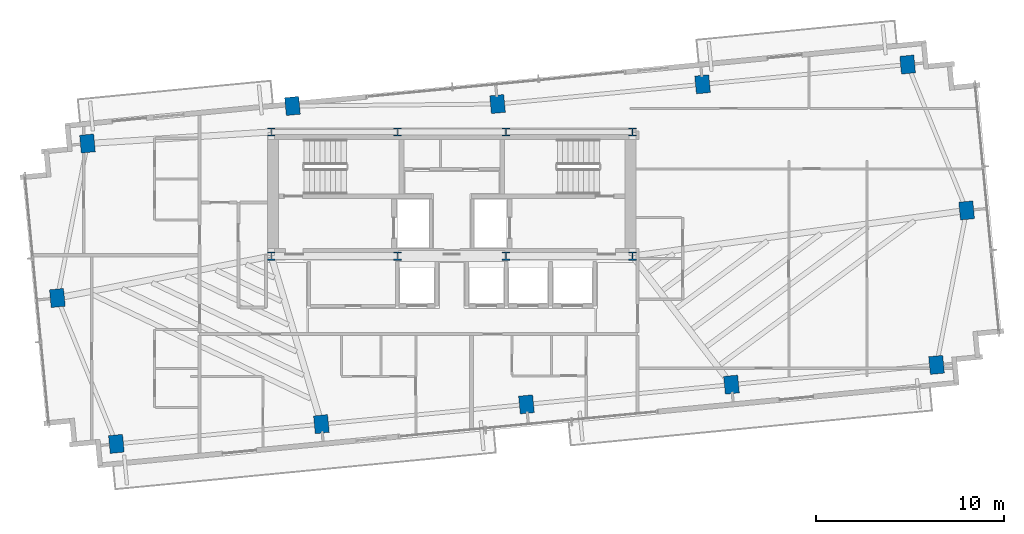
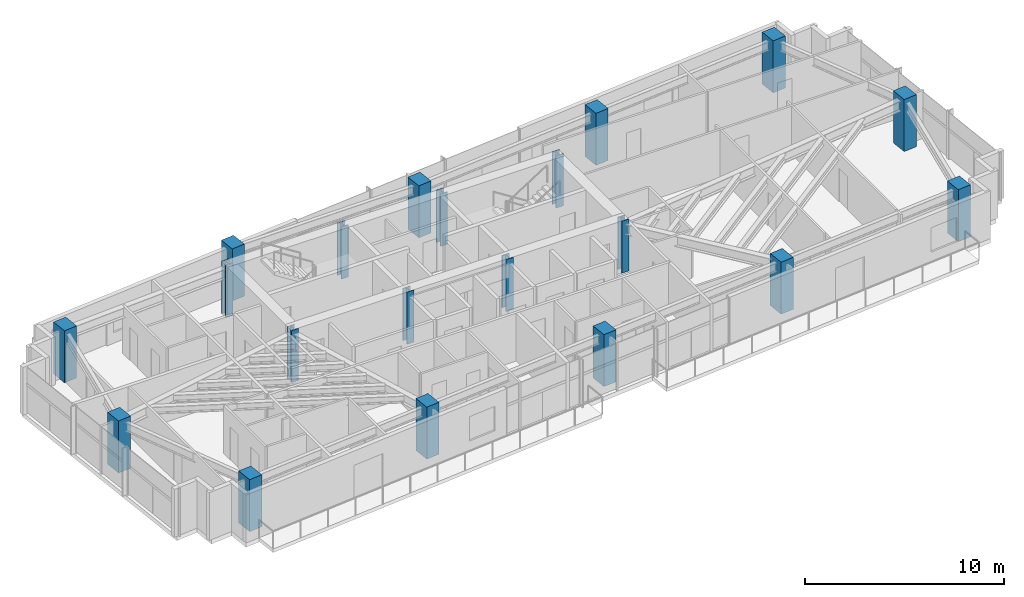
# One storey, part 1 of 18: 20 columns.
"""IFC4 building model written with IfcOpenShell, lengths in metres."""

from ifc_helpers import new_model, si_unit, direction, frame, origin, origin_2d, place, context, subcontext, project, spatial, rectangle, i_section, extrude, source, transform, mapped, material, material_profile, profile_set, type_object, type_shapes, element, save


model = new_model("IFC4")

# Units and contexts
model_context = context("Model", 3, precision=1e-05, world=origin(), true_north=direction((0.0, 1.0)))
body_context = subcontext(model_context, "Body", "Model", "MODEL_VIEW")
ifc_project = project(units=[si_unit("LENGTHUNIT", "METRE"), si_unit("AREAUNIT", "SQUARE_METRE"), si_unit("VOLUMEUNIT", "CUBIC_METRE"), si_unit("PLANEANGLEUNIT", "RADIAN"), si_unit("MASSUNIT", "GRAM", prefix="KILO")], contexts=[model_context])

# Site, building, storey
site_placement = place(None, origin())
site = spatial("IfcSite", under=ifc_project, at=site_placement, CompositionType="ELEMENT")
building_placement = place(site_placement, origin())
building = spatial("IfcBuilding", under=site, at=building_placement, Name="Astriad Promenade Condominiums", CompositionType="ELEMENT")
storey_placement = place(building_placement, frame((0.0, 0.0, 182.60009765625)))
storey = spatial("IfcBuildingStorey", under=building, at=storey_placement, Name="L52", CompositionType="ELEMENT", Elevation=182.60009765625)

# Columns
ifc_material_1 = material(Name="Steel ASTM A992 Grade 50", Category="steel")
ifc_material_profile_1 = material_profile(ifc_material_1, i_section(OverallWidth=0.41552734375, OverallDepth=0.445556640625, WebThickness=0.0390625, FlangeThickness=0.062744140625, FilletRadius=0.017822265625, at=origin_2d()), Name="W14X342")
ifc_profile_set_1 = profile_set([ifc_material_profile_1], Name="Steel ASTM A992 Grade 50")
column_type_1 = type_object("IfcColumnType", Name="STEEL CORE PILASTER W14X342", PredefinedType="PILASTER", material=ifc_profile_set_1)
shared_shape_1 = source(origin(), body_context, "Body", "SweptSolid", [
    extrude(i_section(OverallWidth=0.41552734375, OverallDepth=0.445556640625, WebThickness=0.0390625, FlangeThickness=0.062744140625, FilletRadius=0.017822265625, at=origin_2d()), origin(), (0.0, 0.0, 1.0), 3.196044921875),
])
type_shapes(column_type_1, [shared_shape_1])
for number, where, z_axis, x_axis, name in (
    (1, (26.39990234375, 17.39990234375, 0.001953125), (0.0, 0.0, 1.0), (1.0, 0.0, 0.0), "Core Pilaster Column CP1 (L52)"),
    (2, (33.1201171875, 17.39990234375, 0.001953125), (0.0, 0.0, 1.0), (1.0, 0.0, 0.0), "Core Pilaster Column CP2 (L52)"),
    (3, (38.8798828125, 17.39990234375, 0.001953125), (0.0, 0.0, 1.0), (1.0, 0.0, 0.0), "Core Pilaster Column CP3 (L52)"),
    (4, (45.60009765625, 17.39990234375, 0.001953125), (0.0, 0.0, 1.0), (1.0, 0.0, 0.0), "Core Pilaster Column CP4 (L52)"),
    (5, (26.39990234375, 24.0, 0.001953125), (0.0, 0.0, 1.0), (1.0, 0.0, 0.0), "Core Pilaster Column CP5 (L52)"),
    (6, (33.1201171875, 24.0, 0.001953125), (0.0, 0.0, 1.0), (1.0, 0.0, 0.0), "Core Pilaster Column CP6 (L52)"),
    (7, (38.8798828125, 24.0, 0.001953125), (0.0, 0.0, 1.0), (1.0, 0.0, 0.0), "Core Pilaster Column CP7 (L52)"),
    (8, (45.60009765625, 24.0, 0.001953125), (0.0, 0.0, 1.0), (1.0, 0.0, 0.0), "Core Pilaster Column CP8 (L52)"),
):
    element("IfcColumn", number, at=place(storey_placement, frame(where, z_axis=z_axis, x_axis=x_axis)), inside=storey, type_object=column_type_1, Name=name, PredefinedType="PILASTER", context=body_context, shape_type="MappedRepresentation", body=[
        mapped(shared_shape_1, transform((0.0, 0.0, 0.0), scale=1.0)),
    ])
ifc_material_2 = material(Name="Concrete C50/60", Category="concrete")
ifc_material_profile_2 = material_profile(ifc_material_2, rectangle(XDim=0.75, YDim=0.949951171875, at=origin_2d()), Name="RC-COL-950X750")
ifc_profile_set_2 = profile_set([ifc_material_profile_2], Name="Concrete C50/60")
column_type_2 = type_object("IfcColumnType", Name="CONCRETE TOWER COLUMN 950X750", PredefinedType="COLUMN", material=ifc_profile_set_2)
shared_shape_2 = source(origin(), body_context, "Body", "SweptSolid", [
    extrude(rectangle(XDim=0.75, YDim=0.949951171875, at=origin_2d()), origin(), (0.0, 0.0, 1.0), 3.196044921875),
])
type_shapes(column_type_2, [shared_shape_2])
for number, where, z_axis, x_axis, name in (
    (9, (18.16943359375, 7.41796875, 0.001953125), (0.0, 0.0, 1.0), (0.995396198367, 0.09584575252, 0.0), "Perimeter Column PC01 (L52)"),
    (10, (29.069091796875, 8.46728515625, 0.001953125), (0.0, 0.0, 1.0), (0.995396198367, 0.09584575252, 0.0), "Perimeter Column PC02 (L52)"),
    (11, (39.96875, 9.516845703125, 0.001953125), (0.0, 0.0, 1.0), (0.995396198367, 0.09584575252, 0.0), "Perimeter Column PC03 (L52)"),
    (12, (50.868408203125, 10.56640625, 0.001953125), (0.0, 0.0, 1.0), (0.995396198367, 0.09584575252, 0.0), "Perimeter Column PC04 (L52)"),
    (13, (61.767822265625, 11.615966796875, 0.001953125), (0.0, 0.0, 1.0), (0.995396198367, 0.09584575252, 0.0), "Perimeter Column PC05 (L52)"),
    (14, (16.632080078125, 23.384033203125, 0.001953125), (0.0, 0.0, 1.0), (0.995396198367, 0.09584575252, 0.0), "Perimeter Column PC06 (L52)"),
    (15, (27.53173828125, 25.3798828125, 0.001953125), (0.0, 0.0, 1.0), (0.995396198367, 0.09584575252, 0.0), "Perimeter Column PC07 (L52)"),
    (16, (38.431396484375, 25.483154296875, 0.001953125), (0.0, 0.0, 1.0), (0.995396198367, 0.09584575252, 0.0), "Perimeter Column PC08 (L52)"),
    (17, (49.330810546875, 26.53271484375, 0.001953125), (0.0, 0.0, 1.0), (0.995396198367, 0.09584575252, 0.0), "Perimeter Column PC09 (L52)"),
    (18, (60.23046875, 27.58203125, 0.001953125), (0.0, 0.0, 1.0), (0.995396198367, 0.09584575252, 0.0), "Perimeter Column PC10 (L52)"),
    (19, (15.03173828125, 15.1728515625, 0.001953125), (0.0, 0.0, 1.0), (0.995396198367, 0.09584575252, 0.0), "Perimeter Column PC11 (L52)"),
    (20, (63.3681640625, 19.8271484375, 0.001953125), (0.0, 0.0, 1.0), (0.995396198367, 0.09584575252, 0.0), "Perimeter Column PC12 (L52)"),
):
    element("IfcColumn", number, at=place(storey_placement, frame(where, z_axis=z_axis, x_axis=x_axis)), inside=storey, type_object=column_type_2, Name=name, PredefinedType="COLUMN", context=body_context, shape_type="MappedRepresentation", body=[
        mapped(shared_shape_2, transform((0.0, 0.0, 0.0), scale=1.0)),
    ])

save(model, "model.ifc")
